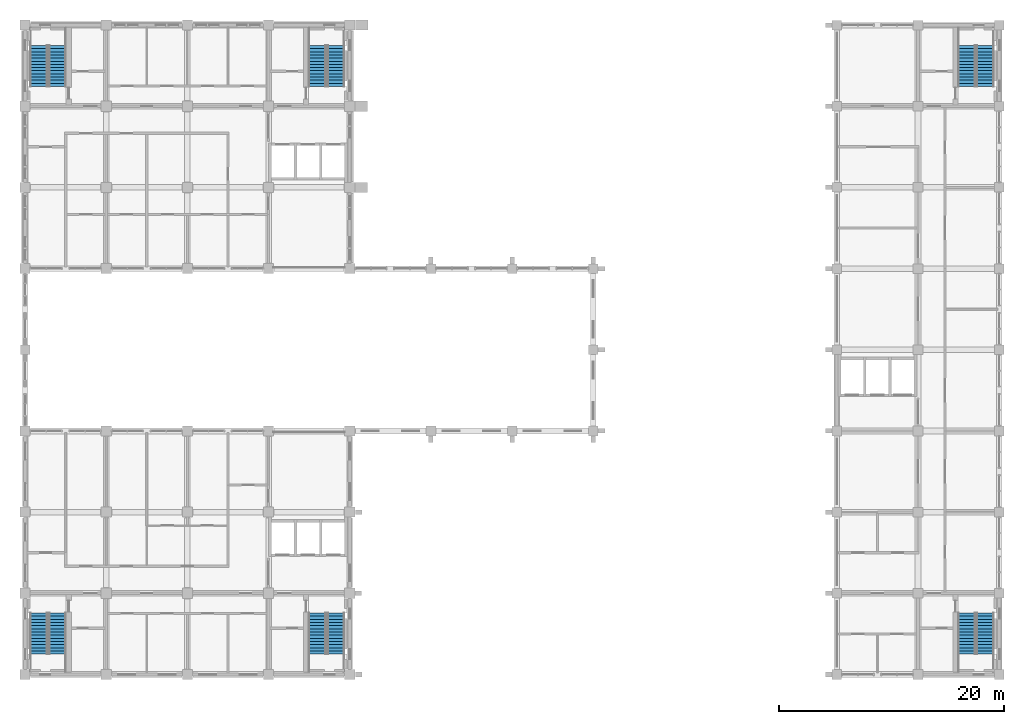
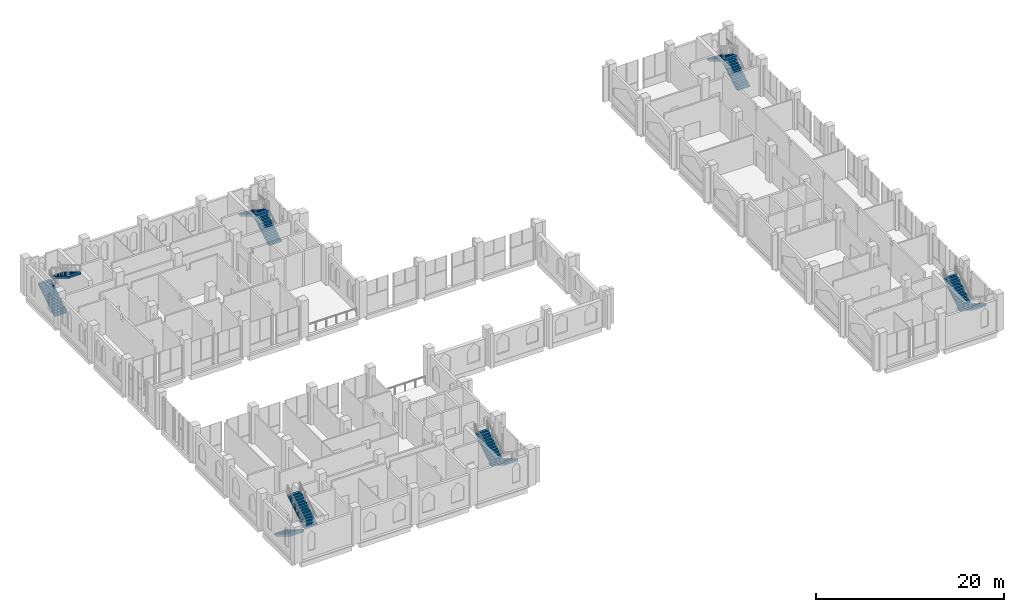
# One storey, part 37 of 40: 12 stair flights, 6 elements without a shape of their own.
"""IFC4 building model written with IfcOpenShell, lengths in metres."""

from ifc_helpers import new_model, si_unit, direction, frame, origin, place, context, subcontext, project, spatial, polyline, outline, extrude, material, type_object, element, aggregate, save


model = new_model("IFC4")

# Units and contexts
model_context = context("Model", 3, precision=1e-05, world=origin(), true_north=direction((0.0, 1.0)))
body_context = subcontext(model_context, "Body", "Model", "MODEL_VIEW")
ifc_project = project(units=[si_unit("LENGTHUNIT", "METRE"), si_unit("AREAUNIT", "SQUARE_METRE"), si_unit("VOLUMEUNIT", "CUBIC_METRE"), si_unit("PLANEANGLEUNIT", "RADIAN"), si_unit("MASSUNIT", "GRAM", prefix="KILO")], contexts=[model_context])

# Site, building, storey
site_placement = place(None, origin())
site = spatial("IfcSite", under=ifc_project, at=site_placement, CompositionType="ELEMENT")
building_placement = place(site_placement, origin())
building = spatial("IfcBuilding", under=site, at=building_placement, Name="Silangan Lancet Faculty of Sciences", CompositionType="ELEMENT")
storey_placement = place(building_placement, frame((0.0, 0.0, 16.800048828125)))
storey = spatial("IfcBuildingStorey", under=building, at=storey_placement, Name="L03", CompositionType="ELEMENT", Elevation=16.800048828125)

# Stair, stair flights
ifc_material_1 = material(Name="Concrete C40/50", Category="concrete")
stair_type = type_object("IfcStairType", Name="TURRET STAIR 1550 TWO-FLIGHT", PredefinedType="HALF_TURN_STAIR", material=ifc_material_1)
stair_1_placement = place(storey_placement, origin())
stair_1 = element("IfcStair", 1, at=stair_1_placement, inside=storey, type_object=stair_type, Name="EB-A stair L03", PredefinedType="HALF_TURN_STAIR")
ifc_material_2 = material(Name="Concrete C40/50", Category="concrete")
stair_flight_type = type_object("IfcStairFlightType", Name="TURRET STAIR FLIGHT 1550", PredefinedType="STRAIGHT", material=ifc_material_2)
stair_flight_1_placement = place(storey_placement, frame((85.175048828125, 5.449951171875, 0.0), z_axis=(0.0, 0.0, 1.0), x_axis=(0.0, -1.0, 0.0)))
stair_flight_1 = element("IfcStairFlight", 2, at=stair_flight_1_placement, type_object=stair_flight_type, Name="STR9 flight 1", NumberOfRisers=14, NumberOfTreads=13, PredefinedType="STRAIGHT", RiserHeight=0.171428571, TreadLength=0.28, context=body_context, shape_type="SweptSolid", body=[
    extrude(outline(polyline([(0.0, 0.0), (0.0, 0.17138671875), (0.280029296875, 0.17138671875), (0.280029296875, 0.3427734375), (0.56005859375, 0.3427734375), (0.56005859375, 0.514404296875), (0.840087890625, 0.514404296875), (0.840087890625, 0.685791015625), (1.1201171875, 0.685791015625), (1.1201171875, 0.857177734375), (1.39990234375, 0.857177734375), (1.39990234375, 1.028564453125), (1.679931640625, 1.028564453125), (1.679931640625, 1.199951171875), (1.9599609375, 1.199951171875), (1.9599609375, 1.371337890625), (2.239990234375, 1.371337890625), (2.239990234375, 1.54296875), (2.52001953125, 1.54296875), (2.52001953125, 1.71435546875), (2.800048828125, 1.71435546875), (2.800048828125, 1.8857421875), (3.080078125, 1.8857421875), (3.080078125, 2.05712890625), (3.360107421875, 2.05712890625), (3.360107421875, 2.228515625), (3.639892578125, 2.228515625), (3.639892578125, 2.39990234375), (3.639892578125, 1.994140625), (0.383056640625, 0.0), (0.0, 0.0)])), frame((0.0, 0.77490234375, 0.0), z_axis=(0.0, -1.0, 0.0), x_axis=(1.0, 0.0, 0.0)), (0.0, 0.0, 1.0), 1.550048828125),
])
stair_flight_2_placement = place(storey_placement, frame((83.52490234375, 1.81005859375, 2.39990234375), z_axis=(0.0, 0.0, 1.0), x_axis=(0.0, 1.0, 0.0)))
stair_flight_2 = element("IfcStairFlight", 3, at=stair_flight_2_placement, type_object=stair_flight_type, Name="STR9 flight 2", NumberOfRisers=14, NumberOfTreads=13, PredefinedType="STRAIGHT", RiserHeight=0.171428571, TreadLength=0.28, context=body_context, shape_type="SweptSolid", body=[
    extrude(outline(polyline([(0.0, 0.0), (0.0, 0.17138671875), (0.280029296875, 0.17138671875), (0.280029296875, 0.3427734375), (0.56005859375, 0.3427734375), (0.56005859375, 0.514404296875), (0.840087890625, 0.514404296875), (0.840087890625, 0.685791015625), (1.1201171875, 0.685791015625), (1.1201171875, 0.857177734375), (1.39990234375, 0.857177734375), (1.39990234375, 1.028564453125), (1.679931640625, 1.028564453125), (1.679931640625, 1.199951171875), (1.9599609375, 1.199951171875), (1.9599609375, 1.371337890625), (2.239990234375, 1.371337890625), (2.239990234375, 1.54296875), (2.52001953125, 1.54296875), (2.52001953125, 1.71435546875), (2.800048828125, 1.71435546875), (2.800048828125, 1.8857421875), (3.080078125, 1.8857421875), (3.080078125, 2.05712890625), (3.360107421875, 2.05712890625), (3.360107421875, 2.228515625), (3.639892578125, 2.228515625), (3.639892578125, 2.39990234375), (3.639892578125, 1.994140625), (0.383056640625, 0.0), (0.0, 0.0)])), frame((0.0, 0.77490234375, 0.0), z_axis=(0.0, -1.0, 0.0), x_axis=(1.0, 0.0, 0.0)), (0.0, 0.0, 1.0), 1.550048828125),
])
aggregate(stair_1, [stair_flight_1, stair_flight_2])

stair_2_placement = place(storey_placement, origin())
stair_2 = element("IfcStair", 4, at=stair_2_placement, inside=storey, type_object=stair_type, Name="EB-B stair L03", PredefinedType="HALF_TURN_STAIR")
stair_flight_3_placement = place(storey_placement, frame((85.175048828125, 52.14990234375, 0.0), z_axis=(0.0, 0.0, 1.0), x_axis=(0.0, 1.0, 0.0)))
stair_flight_3 = element("IfcStairFlight", 5, at=stair_flight_3_placement, type_object=stair_flight_type, Name="STR10 flight 1", NumberOfRisers=14, NumberOfTreads=13, PredefinedType="STRAIGHT", RiserHeight=0.171428571, TreadLength=0.28, context=body_context, shape_type="SweptSolid", body=[
    extrude(outline(polyline([(0.0, 0.0), (0.0, 0.17138671875), (0.280029296875, 0.17138671875), (0.280029296875, 0.3427734375), (0.56005859375, 0.3427734375), (0.56005859375, 0.514404296875), (0.840087890625, 0.514404296875), (0.840087890625, 0.685791015625), (1.1201171875, 0.685791015625), (1.1201171875, 0.857177734375), (1.39990234375, 0.857177734375), (1.39990234375, 1.028564453125), (1.679931640625, 1.028564453125), (1.679931640625, 1.199951171875), (1.9599609375, 1.199951171875), (1.9599609375, 1.371337890625), (2.239990234375, 1.371337890625), (2.239990234375, 1.54296875), (2.52001953125, 1.54296875), (2.52001953125, 1.71435546875), (2.800048828125, 1.71435546875), (2.800048828125, 1.8857421875), (3.080078125, 1.8857421875), (3.080078125, 2.05712890625), (3.360107421875, 2.05712890625), (3.360107421875, 2.228515625), (3.639892578125, 2.228515625), (3.639892578125, 2.39990234375), (3.639892578125, 1.994140625), (0.383056640625, 0.0), (0.0, 0.0)])), frame((0.0, 0.77490234375, 0.0), z_axis=(0.0, -1.0, 0.0), x_axis=(1.0, 0.0, 0.0)), (0.0, 0.0, 1.0), 1.550048828125),
])
stair_flight_4_placement = place(storey_placement, frame((83.52490234375, 55.7900390625, 2.39990234375), z_axis=(0.0, 0.0, 1.0), x_axis=(0.0, -1.0, 0.0)))
stair_flight_4 = element("IfcStairFlight", 6, at=stair_flight_4_placement, type_object=stair_flight_type, Name="STR10 flight 2", NumberOfRisers=14, NumberOfTreads=13, PredefinedType="STRAIGHT", RiserHeight=0.171428571, TreadLength=0.28, context=body_context, shape_type="SweptSolid", body=[
    extrude(outline(polyline([(0.0, 0.0), (0.0, 0.17138671875), (0.280029296875, 0.17138671875), (0.280029296875, 0.3427734375), (0.56005859375, 0.3427734375), (0.56005859375, 0.514404296875), (0.840087890625, 0.514404296875), (0.840087890625, 0.685791015625), (1.1201171875, 0.685791015625), (1.1201171875, 0.857177734375), (1.39990234375, 0.857177734375), (1.39990234375, 1.028564453125), (1.679931640625, 1.028564453125), (1.679931640625, 1.199951171875), (1.9599609375, 1.199951171875), (1.9599609375, 1.371337890625), (2.239990234375, 1.371337890625), (2.239990234375, 1.54296875), (2.52001953125, 1.54296875), (2.52001953125, 1.71435546875), (2.800048828125, 1.71435546875), (2.800048828125, 1.8857421875), (3.080078125, 1.8857421875), (3.080078125, 2.05712890625), (3.360107421875, 2.05712890625), (3.360107421875, 2.228515625), (3.639892578125, 2.228515625), (3.639892578125, 2.39990234375), (3.639892578125, 1.994140625), (0.383056640625, 0.0), (0.0, 0.0)])), frame((0.0, 0.77490234375, 0.0), z_axis=(0.0, -1.0, 0.0), x_axis=(1.0, 0.0, 0.0)), (0.0, 0.0, 1.0), 1.550048828125),
])
aggregate(stair_2, [stair_flight_3, stair_flight_4])

stair_3_placement = place(storey_placement, origin())
stair_3 = element("IfcStair", 7, at=stair_3_placement, inside=storey, type_object=stair_type, Name="NT-A stair L03", PredefinedType="HALF_TURN_STAIR")
stair_flight_5_placement = place(storey_placement, frame((1.22509765625, 52.14990234375, 0.0), z_axis=(0.0, 0.0, 1.0), x_axis=(0.0, 1.0, 0.0)))
stair_flight_5 = element("IfcStairFlight", 8, at=stair_flight_5_placement, type_object=stair_flight_type, Name="STR3 flight 1", NumberOfRisers=14, NumberOfTreads=13, PredefinedType="STRAIGHT", RiserHeight=0.171428571, TreadLength=0.28, context=body_context, shape_type="SweptSolid", body=[
    extrude(outline(polyline([(0.0, 0.0), (0.0, 0.17138671875), (0.280029296875, 0.17138671875), (0.280029296875, 0.3427734375), (0.56005859375, 0.3427734375), (0.56005859375, 0.514404296875), (0.840087890625, 0.514404296875), (0.840087890625, 0.685791015625), (1.1201171875, 0.685791015625), (1.1201171875, 0.857177734375), (1.39990234375, 0.857177734375), (1.39990234375, 1.028564453125), (1.679931640625, 1.028564453125), (1.679931640625, 1.199951171875), (1.9599609375, 1.199951171875), (1.9599609375, 1.371337890625), (2.239990234375, 1.371337890625), (2.239990234375, 1.54296875), (2.52001953125, 1.54296875), (2.52001953125, 1.71435546875), (2.800048828125, 1.71435546875), (2.800048828125, 1.8857421875), (3.080078125, 1.8857421875), (3.080078125, 2.05712890625), (3.360107421875, 2.05712890625), (3.360107421875, 2.228515625), (3.639892578125, 2.228515625), (3.639892578125, 2.39990234375), (3.639892578125, 1.994140625), (0.383056640625, 0.0), (0.0, 0.0)])), frame((0.0, 0.77490234375, 0.0), z_axis=(0.0, -1.0, 0.0), x_axis=(1.0, 0.0, 0.0)), (0.0, 0.0, 1.0), 1.550048828125),
])
stair_flight_6_placement = place(storey_placement, frame((2.875, 55.7900390625, 2.39990234375), z_axis=(0.0, 0.0, 1.0), x_axis=(0.0, -1.0, 0.0)))
stair_flight_6 = element("IfcStairFlight", 9, at=stair_flight_6_placement, type_object=stair_flight_type, Name="STR3 flight 2", NumberOfRisers=14, NumberOfTreads=13, PredefinedType="STRAIGHT", RiserHeight=0.171428571, TreadLength=0.28, context=body_context, shape_type="SweptSolid", body=[
    extrude(outline(polyline([(0.0, 0.0), (0.0, 0.17138671875), (0.280029296875, 0.17138671875), (0.280029296875, 0.3427734375), (0.56005859375, 0.3427734375), (0.56005859375, 0.514404296875), (0.840087890625, 0.514404296875), (0.840087890625, 0.685791015625), (1.1201171875, 0.685791015625), (1.1201171875, 0.857177734375), (1.39990234375, 0.857177734375), (1.39990234375, 1.028564453125), (1.679931640625, 1.028564453125), (1.679931640625, 1.199951171875), (1.9599609375, 1.199951171875), (1.9599609375, 1.371337890625), (2.239990234375, 1.371337890625), (2.239990234375, 1.54296875), (2.52001953125, 1.54296875), (2.52001953125, 1.71435546875), (2.800048828125, 1.71435546875), (2.800048828125, 1.8857421875), (3.080078125, 1.8857421875), (3.080078125, 2.05712890625), (3.360107421875, 2.05712890625), (3.360107421875, 2.228515625), (3.639892578125, 2.228515625), (3.639892578125, 2.39990234375), (3.639892578125, 1.994140625), (0.383056640625, 0.0), (0.0, 0.0)])), frame((0.0, 0.77490234375, 0.0), z_axis=(0.0, -1.0, 0.0), x_axis=(1.0, 0.0, 0.0)), (0.0, 0.0, 1.0), 1.550048828125),
])
aggregate(stair_3, [stair_flight_5, stair_flight_6])

stair_4_placement = place(storey_placement, origin())
stair_4 = element("IfcStair", 10, at=stair_4_placement, inside=storey, type_object=stair_type, Name="NT-B stair L03", PredefinedType="HALF_TURN_STAIR")
stair_flight_7_placement = place(storey_placement, frame((27.574951171875, 52.14990234375, 0.0), z_axis=(0.0, 0.0, 1.0), x_axis=(0.0, 1.0, 0.0)))
stair_flight_7 = element("IfcStairFlight", 11, at=stair_flight_7_placement, type_object=stair_flight_type, Name="STR4 flight 1", NumberOfRisers=14, NumberOfTreads=13, PredefinedType="STRAIGHT", RiserHeight=0.171428571, TreadLength=0.28, context=body_context, shape_type="SweptSolid", body=[
    extrude(outline(polyline([(0.0, 0.0), (0.0, 0.17138671875), (0.280029296875, 0.17138671875), (0.280029296875, 0.3427734375), (0.56005859375, 0.3427734375), (0.56005859375, 0.514404296875), (0.840087890625, 0.514404296875), (0.840087890625, 0.685791015625), (1.1201171875, 0.685791015625), (1.1201171875, 0.857177734375), (1.39990234375, 0.857177734375), (1.39990234375, 1.028564453125), (1.679931640625, 1.028564453125), (1.679931640625, 1.199951171875), (1.9599609375, 1.199951171875), (1.9599609375, 1.371337890625), (2.239990234375, 1.371337890625), (2.239990234375, 1.54296875), (2.52001953125, 1.54296875), (2.52001953125, 1.71435546875), (2.800048828125, 1.71435546875), (2.800048828125, 1.8857421875), (3.080078125, 1.8857421875), (3.080078125, 2.05712890625), (3.360107421875, 2.05712890625), (3.360107421875, 2.228515625), (3.639892578125, 2.228515625), (3.639892578125, 2.39990234375), (3.639892578125, 1.994140625), (0.383056640625, 0.0), (0.0, 0.0)])), frame((0.0, 0.77490234375, 0.0), z_axis=(0.0, -1.0, 0.0), x_axis=(1.0, 0.0, 0.0)), (0.0, 0.0, 1.0), 1.550048828125),
])
stair_flight_8_placement = place(storey_placement, frame((25.925048828125, 55.7900390625, 2.39990234375), z_axis=(0.0, 0.0, 1.0), x_axis=(0.0, -1.0, 0.0)))
stair_flight_8 = element("IfcStairFlight", 12, at=stair_flight_8_placement, type_object=stair_flight_type, Name="STR4 flight 2", NumberOfRisers=14, NumberOfTreads=13, PredefinedType="STRAIGHT", RiserHeight=0.171428571, TreadLength=0.28, context=body_context, shape_type="SweptSolid", body=[
    extrude(outline(polyline([(0.0, 0.0), (0.0, 0.17138671875), (0.280029296875, 0.17138671875), (0.280029296875, 0.3427734375), (0.56005859375, 0.3427734375), (0.56005859375, 0.514404296875), (0.840087890625, 0.514404296875), (0.840087890625, 0.685791015625), (1.1201171875, 0.685791015625), (1.1201171875, 0.857177734375), (1.39990234375, 0.857177734375), (1.39990234375, 1.028564453125), (1.679931640625, 1.028564453125), (1.679931640625, 1.199951171875), (1.9599609375, 1.199951171875), (1.9599609375, 1.371337890625), (2.239990234375, 1.371337890625), (2.239990234375, 1.54296875), (2.52001953125, 1.54296875), (2.52001953125, 1.71435546875), (2.800048828125, 1.71435546875), (2.800048828125, 1.8857421875), (3.080078125, 1.8857421875), (3.080078125, 2.05712890625), (3.360107421875, 2.05712890625), (3.360107421875, 2.228515625), (3.639892578125, 2.228515625), (3.639892578125, 2.39990234375), (3.639892578125, 1.994140625), (0.383056640625, 0.0), (0.0, 0.0)])), frame((0.0, 0.77490234375, 0.0), z_axis=(0.0, -1.0, 0.0), x_axis=(1.0, 0.0, 0.0)), (0.0, 0.0, 1.0), 1.550048828125),
])
aggregate(stair_4, [stair_flight_7, stair_flight_8])

stair_5_placement = place(storey_placement, origin())
stair_5 = element("IfcStair", 13, at=stair_5_placement, inside=storey, type_object=stair_type, Name="ST-A stair L03", PredefinedType="HALF_TURN_STAIR")
stair_flight_9_placement = place(storey_placement, frame((1.22509765625, 5.449951171875, 0.0), z_axis=(0.0, 0.0, 1.0), x_axis=(0.0, -1.0, 0.0)))
stair_flight_9 = element("IfcStairFlight", 14, at=stair_flight_9_placement, type_object=stair_flight_type, Name="STR1 flight 1", NumberOfRisers=14, NumberOfTreads=13, PredefinedType="STRAIGHT", RiserHeight=0.171428571, TreadLength=0.28, context=body_context, shape_type="SweptSolid", body=[
    extrude(outline(polyline([(0.0, 0.0), (0.0, 0.17138671875), (0.280029296875, 0.17138671875), (0.280029296875, 0.3427734375), (0.56005859375, 0.3427734375), (0.56005859375, 0.514404296875), (0.840087890625, 0.514404296875), (0.840087890625, 0.685791015625), (1.1201171875, 0.685791015625), (1.1201171875, 0.857177734375), (1.39990234375, 0.857177734375), (1.39990234375, 1.028564453125), (1.679931640625, 1.028564453125), (1.679931640625, 1.199951171875), (1.9599609375, 1.199951171875), (1.9599609375, 1.371337890625), (2.239990234375, 1.371337890625), (2.239990234375, 1.54296875), (2.52001953125, 1.54296875), (2.52001953125, 1.71435546875), (2.800048828125, 1.71435546875), (2.800048828125, 1.8857421875), (3.080078125, 1.8857421875), (3.080078125, 2.05712890625), (3.360107421875, 2.05712890625), (3.360107421875, 2.228515625), (3.639892578125, 2.228515625), (3.639892578125, 2.39990234375), (3.639892578125, 1.994140625), (0.383056640625, 0.0), (0.0, 0.0)])), frame((0.0, 0.77490234375, 0.0), z_axis=(0.0, -1.0, 0.0), x_axis=(1.0, 0.0, 0.0)), (0.0, 0.0, 1.0), 1.550048828125),
])
stair_flight_10_placement = place(storey_placement, frame((2.875, 1.81005859375, 2.39990234375), z_axis=(0.0, 0.0, 1.0), x_axis=(0.0, 1.0, 0.0)))
stair_flight_10 = element("IfcStairFlight", 15, at=stair_flight_10_placement, type_object=stair_flight_type, Name="STR1 flight 2", NumberOfRisers=14, NumberOfTreads=13, PredefinedType="STRAIGHT", RiserHeight=0.171428571, TreadLength=0.28, context=body_context, shape_type="SweptSolid", body=[
    extrude(outline(polyline([(0.0, 0.0), (0.0, 0.17138671875), (0.280029296875, 0.17138671875), (0.280029296875, 0.3427734375), (0.56005859375, 0.3427734375), (0.56005859375, 0.514404296875), (0.840087890625, 0.514404296875), (0.840087890625, 0.685791015625), (1.1201171875, 0.685791015625), (1.1201171875, 0.857177734375), (1.39990234375, 0.857177734375), (1.39990234375, 1.028564453125), (1.679931640625, 1.028564453125), (1.679931640625, 1.199951171875), (1.9599609375, 1.199951171875), (1.9599609375, 1.371337890625), (2.239990234375, 1.371337890625), (2.239990234375, 1.54296875), (2.52001953125, 1.54296875), (2.52001953125, 1.71435546875), (2.800048828125, 1.71435546875), (2.800048828125, 1.8857421875), (3.080078125, 1.8857421875), (3.080078125, 2.05712890625), (3.360107421875, 2.05712890625), (3.360107421875, 2.228515625), (3.639892578125, 2.228515625), (3.639892578125, 2.39990234375), (3.639892578125, 1.994140625), (0.383056640625, 0.0), (0.0, 0.0)])), frame((0.0, 0.77490234375, 0.0), z_axis=(0.0, -1.0, 0.0), x_axis=(1.0, 0.0, 0.0)), (0.0, 0.0, 1.0), 1.550048828125),
])
aggregate(stair_5, [stair_flight_9, stair_flight_10])

stair_6_placement = place(storey_placement, origin())
stair_6 = element("IfcStair", 16, at=stair_6_placement, inside=storey, type_object=stair_type, Name="ST-B stair L03", PredefinedType="HALF_TURN_STAIR")
stair_flight_11_placement = place(storey_placement, frame((27.574951171875, 5.449951171875, 0.0), z_axis=(0.0, 0.0, 1.0), x_axis=(0.0, -1.0, 0.0)))
stair_flight_11 = element("IfcStairFlight", 17, at=stair_flight_11_placement, type_object=stair_flight_type, Name="STR2 flight 1", NumberOfRisers=14, NumberOfTreads=13, PredefinedType="STRAIGHT", RiserHeight=0.171428571, TreadLength=0.28, context=body_context, shape_type="SweptSolid", body=[
    extrude(outline(polyline([(0.0, 0.0), (0.0, 0.17138671875), (0.280029296875, 0.17138671875), (0.280029296875, 0.3427734375), (0.56005859375, 0.3427734375), (0.56005859375, 0.514404296875), (0.840087890625, 0.514404296875), (0.840087890625, 0.685791015625), (1.1201171875, 0.685791015625), (1.1201171875, 0.857177734375), (1.39990234375, 0.857177734375), (1.39990234375, 1.028564453125), (1.679931640625, 1.028564453125), (1.679931640625, 1.199951171875), (1.9599609375, 1.199951171875), (1.9599609375, 1.371337890625), (2.239990234375, 1.371337890625), (2.239990234375, 1.54296875), (2.52001953125, 1.54296875), (2.52001953125, 1.71435546875), (2.800048828125, 1.71435546875), (2.800048828125, 1.8857421875), (3.080078125, 1.8857421875), (3.080078125, 2.05712890625), (3.360107421875, 2.05712890625), (3.360107421875, 2.228515625), (3.639892578125, 2.228515625), (3.639892578125, 2.39990234375), (3.639892578125, 1.994140625), (0.383056640625, 0.0), (0.0, 0.0)])), frame((0.0, 0.77490234375, 0.0), z_axis=(0.0, -1.0, 0.0), x_axis=(1.0, 0.0, 0.0)), (0.0, 0.0, 1.0), 1.550048828125),
])
stair_flight_12_placement = place(storey_placement, frame((25.925048828125, 1.81005859375, 2.39990234375), z_axis=(0.0, 0.0, 1.0), x_axis=(0.0, 1.0, 0.0)))
stair_flight_12 = element("IfcStairFlight", 18, at=stair_flight_12_placement, type_object=stair_flight_type, Name="STR2 flight 2", NumberOfRisers=14, NumberOfTreads=13, PredefinedType="STRAIGHT", RiserHeight=0.171428571, TreadLength=0.28, context=body_context, shape_type="SweptSolid", body=[
    extrude(outline(polyline([(0.0, 0.0), (0.0, 0.17138671875), (0.280029296875, 0.17138671875), (0.280029296875, 0.3427734375), (0.56005859375, 0.3427734375), (0.56005859375, 0.514404296875), (0.840087890625, 0.514404296875), (0.840087890625, 0.685791015625), (1.1201171875, 0.685791015625), (1.1201171875, 0.857177734375), (1.39990234375, 0.857177734375), (1.39990234375, 1.028564453125), (1.679931640625, 1.028564453125), (1.679931640625, 1.199951171875), (1.9599609375, 1.199951171875), (1.9599609375, 1.371337890625), (2.239990234375, 1.371337890625), (2.239990234375, 1.54296875), (2.52001953125, 1.54296875), (2.52001953125, 1.71435546875), (2.800048828125, 1.71435546875), (2.800048828125, 1.8857421875), (3.080078125, 1.8857421875), (3.080078125, 2.05712890625), (3.360107421875, 2.05712890625), (3.360107421875, 2.228515625), (3.639892578125, 2.228515625), (3.639892578125, 2.39990234375), (3.639892578125, 1.994140625), (0.383056640625, 0.0), (0.0, 0.0)])), frame((0.0, 0.77490234375, 0.0), z_axis=(0.0, -1.0, 0.0), x_axis=(1.0, 0.0, 0.0)), (0.0, 0.0, 1.0), 1.550048828125),
])
aggregate(stair_6, [stair_flight_11, stair_flight_12])

save(model, "model.ifc")
